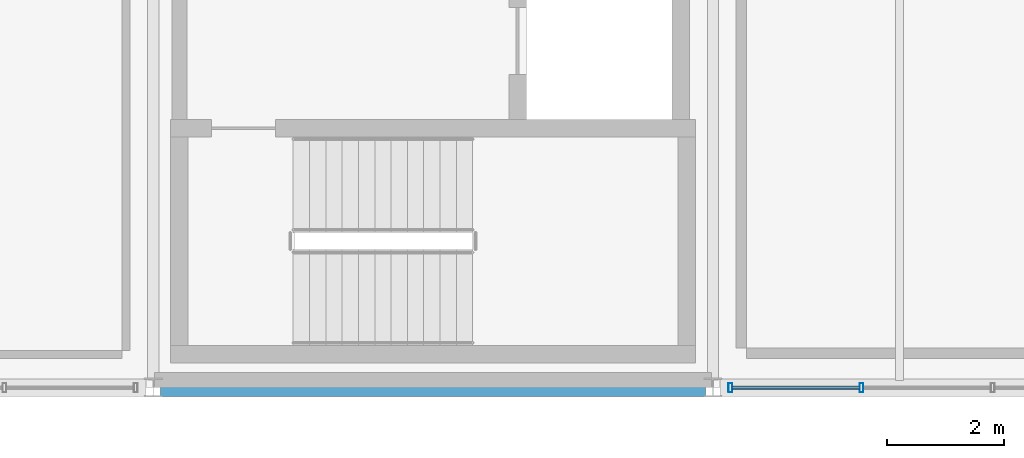
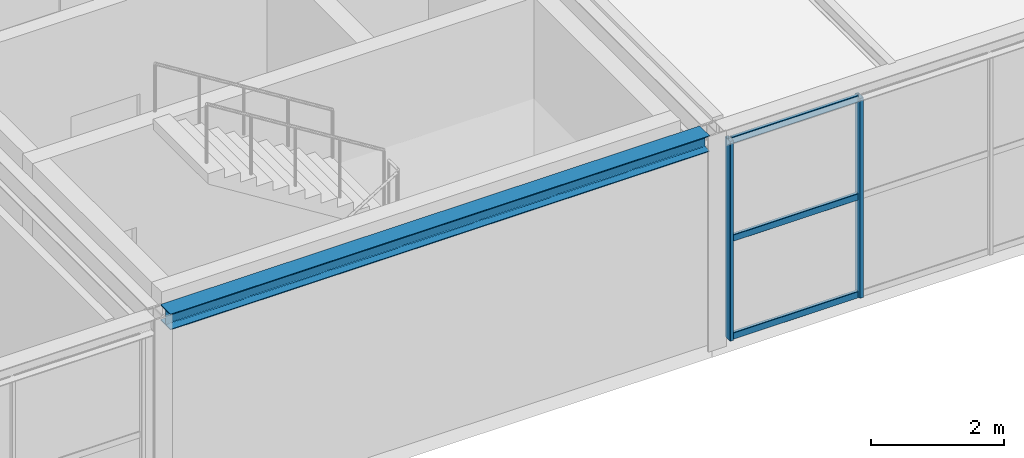
# One storey, part 10 of 50: 5 members, 1 beam, 1 element without a shape of its own.
"""IFC4 building model written with IfcOpenShell, lengths in metres."""

from ifc_helpers import new_model, si_unit, direction, frame, origin, origin_2d, place, context, subcontext, project, spatial, hollow_rectangle, i_section, extrude, material, material_profile, profile_set, type_object, element, aggregate, save


model = new_model("IFC4")

# Units and contexts
model_context = context("Model", 3, precision=1e-05, world=origin(), true_north=direction((0.0, 1.0)))
body_context = subcontext(model_context, "Body", "Model", "MODEL_VIEW")
ifc_project = project(units=[si_unit("LENGTHUNIT", "METRE"), si_unit("AREAUNIT", "SQUARE_METRE"), si_unit("VOLUMEUNIT", "CUBIC_METRE"), si_unit("PLANEANGLEUNIT", "RADIAN"), si_unit("MASSUNIT", "GRAM", prefix="KILO")], contexts=[model_context])

# Site, building, storey
site_placement = place(None, origin())
site = spatial("IfcSite", under=ifc_project, at=site_placement, CompositionType="ELEMENT")
building_placement = place(site_placement, origin())
building = spatial("IfcBuilding", under=site, at=building_placement, Name="Coralgate Yard Interchange", CompositionType="ELEMENT")
storey_placement = place(building_placement, frame((0.0, 0.0, 14.699951171875)))
storey = spatial("IfcBuildingStorey", under=building, at=storey_placement, Name="L03", CompositionType="ELEMENT", Elevation=14.699951171875)

# Beam
ifc_material_1 = material(Name="Structural steel S355J2", Category="steel")
ifc_material_profile_1 = material_profile(ifc_material_1, i_section(OverallWidth=0.300048828125, OverallDepth=0.2900390625, WebThickness=0.008544921875, FlangeThickness=0.013916015625, FilletRadius=0.027099609375, at=origin_2d()), Name="HEA 300")
ifc_profile_set_1 = profile_set([ifc_material_profile_1], Name="Structural steel S355J2")
beam_type = type_object("IfcBeamType", Name="BM-SP-2", PredefinedType="SPANDREL", material=ifc_profile_set_1)
beam_placement = place(storey_placement, frame((19.32568359375, 0.0, 3.804931640625), z_axis=(1.0, 0.0, 0.0), x_axis=(0.0, 1.0, 0.0)))
element("IfcBeam", 1, at=beam_placement, inside=storey, type_object=beam_type, Name="L03 primary grid beam Y0 X2-3", PredefinedType="SPANDREL", context=body_context, shape_type="SweptSolid", body=[
    extrude(i_section(OverallWidth=0.300048828125, OverallDepth=0.2900390625, WebThickness=0.008544921875, FlangeThickness=0.013916015625, FilletRadius=0.027099609375, at=origin_2d()), origin(), (0.0, 0.0, 1.0), 9.3486328125),
])

# Curtain wall, members
ifc_material_2 = material(Name="Anodised coastal aluminium and solar-control low-E glass", Category="aluminium")
curtain_wall_type = type_object("IfcCurtainWallType", Name="CW-CW-L03-A", PredefinedType="NOTDEFINED", material=ifc_material_2)
curtain_wall_placement = place(storey_placement, origin())
curtain_wall = element("IfcCurtainWall", 2, at=curtain_wall_placement, inside=storey, type_object=curtain_wall_type, Name="L03 unitised curtain wall CW-L03-S-03-00", PredefinedType="NOTDEFINED")
ifc_material_3 = material(Name="Anodised coastal aluminium 6063-T6", Category="aluminium")
ifc_material_profile_2 = material_profile(ifc_material_3, hollow_rectangle(XDim=0.06494140625, YDim=0.159912109375, WallThickness=0.00390625, InnerFilletRadius=0.00390625, OuterFilletRadius=0.008056640625, at=origin_2d()), Name="ALU 65x160x4")
ifc_profile_set_2 = profile_set([ifc_material_profile_2], Name="Anodised coastal aluminium 6063-T6")
member_type_1 = type_object("IfcMemberType", Name="MB-MUL-160", PredefinedType="MULLION", material=ifc_profile_set_2)
member_1_placement = place(storey_placement, frame((31.35009765625, 0.0, 0.0), z_axis=(0.0, 0.0, 1.0), x_axis=(1.0, 0.0, 0.0)))
member_1 = element("IfcMember", 3, at=member_1_placement, type_object=member_type_1, Name="CW-L03-S-03-00 vertical mullion 4", PredefinedType="MULLION", context=body_context, shape_type="SweptSolid", body=[
    extrude(hollow_rectangle(XDim=0.06494140625, YDim=0.159912109375, WallThickness=0.00390625, InnerFilletRadius=0.00390625, OuterFilletRadius=0.008056640625, at=origin_2d()), origin(), (0.0, 0.0, 1.0), 3.66015625),
])
member_2_placement = place(storey_placement, frame((29.10009765625, 0.0, 0.0), z_axis=(0.0, 0.0, 1.0), x_axis=(1.0, 0.0, 0.0)))
member_2 = element("IfcMember", 4, at=member_2_placement, type_object=member_type_1, Name="CW-L03-S-03-00 vertical mullion 5", PredefinedType="MULLION", context=body_context, shape_type="SweptSolid", body=[
    extrude(hollow_rectangle(XDim=0.06494140625, YDim=0.159912109375, WallThickness=0.00390625, InnerFilletRadius=0.00390625, OuterFilletRadius=0.008056640625, at=origin_2d()), origin(), (0.0, 0.0, 1.0), 3.66015625),
])
ifc_material_profile_3 = material_profile(ifc_material_3, hollow_rectangle(XDim=0.06005859375, YDim=0.1201171875, WallThickness=0.00341796875, InnerFilletRadius=0.00341796875, OuterFilletRadius=0.007080078125, at=origin_2d()), Name="ALU 60x120x3.5")
ifc_profile_set_3 = profile_set([ifc_material_profile_3], Name="Anodised coastal aluminium 6063-T6")
member_type_2 = type_object("IfcMemberType", Name="MB-TRN-120", PredefinedType="USERDEFINED", material=ifc_profile_set_3)
member_3_placement = place(storey_placement, frame((31.320068359375, 0.0, 0.03515625), z_axis=(-1.0, 0.0, 0.0), x_axis=(0.0, -1.0, 0.0)))
member_3 = element("IfcMember", 5, at=member_3_placement, type_object=member_type_2, Name="CW-L03-S-03-00 horizontal transom 4-1", ObjectType="TRANSOM", PredefinedType="USERDEFINED", context=body_context, shape_type="SweptSolid", body=[
    extrude(hollow_rectangle(XDim=0.06005859375, YDim=0.1201171875, WallThickness=0.00341796875, InnerFilletRadius=0.00341796875, OuterFilletRadius=0.007080078125, at=origin_2d()), origin(), (0.0, 0.0, 1.0), 2.190185546875),
])
member_4_placement = place(storey_placement, frame((31.320068359375, 0.0, 1.830078125), z_axis=(-1.0, 0.0, 0.0), x_axis=(0.0, -1.0, 0.0)))
member_4 = element("IfcMember", 6, at=member_4_placement, type_object=member_type_2, Name="CW-L03-S-03-00 horizontal transom 4-2", ObjectType="TRANSOM", PredefinedType="USERDEFINED", context=body_context, shape_type="SweptSolid", body=[
    extrude(hollow_rectangle(XDim=0.06005859375, YDim=0.1201171875, WallThickness=0.00341796875, InnerFilletRadius=0.00341796875, OuterFilletRadius=0.007080078125, at=origin_2d()), origin(), (0.0, 0.0, 1.0), 2.190185546875),
])
member_5_placement = place(storey_placement, frame((31.320068359375, 0.0, 3.625), z_axis=(-1.0, 0.0, 0.0), x_axis=(0.0, -1.0, 0.0)))
member_5 = element("IfcMember", 7, at=member_5_placement, type_object=member_type_2, Name="CW-L03-S-03-00 horizontal transom 4-3", ObjectType="TRANSOM", PredefinedType="USERDEFINED", context=body_context, shape_type="SweptSolid", body=[
    extrude(hollow_rectangle(XDim=0.06005859375, YDim=0.1201171875, WallThickness=0.00341796875, InnerFilletRadius=0.00341796875, OuterFilletRadius=0.007080078125, at=origin_2d()), origin(), (0.0, 0.0, 1.0), 2.190185546875),
])
aggregate(curtain_wall, [member_1, member_2, member_3, member_4, member_5])

save(model, "model.ifc")
